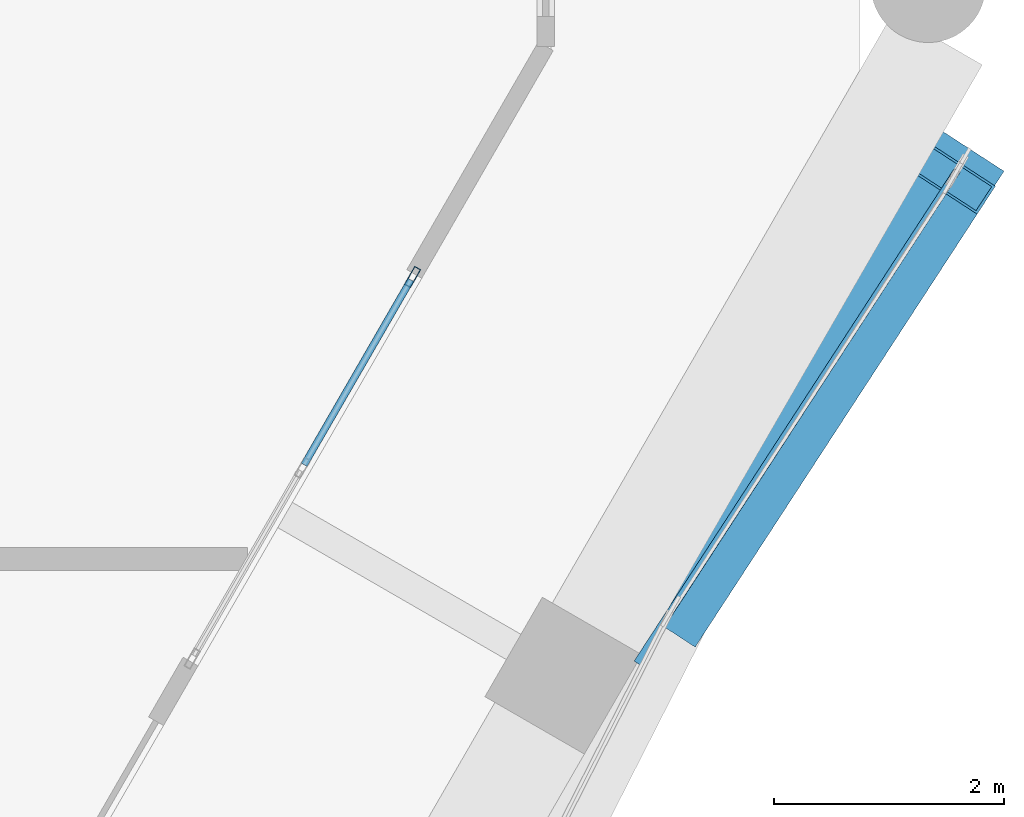
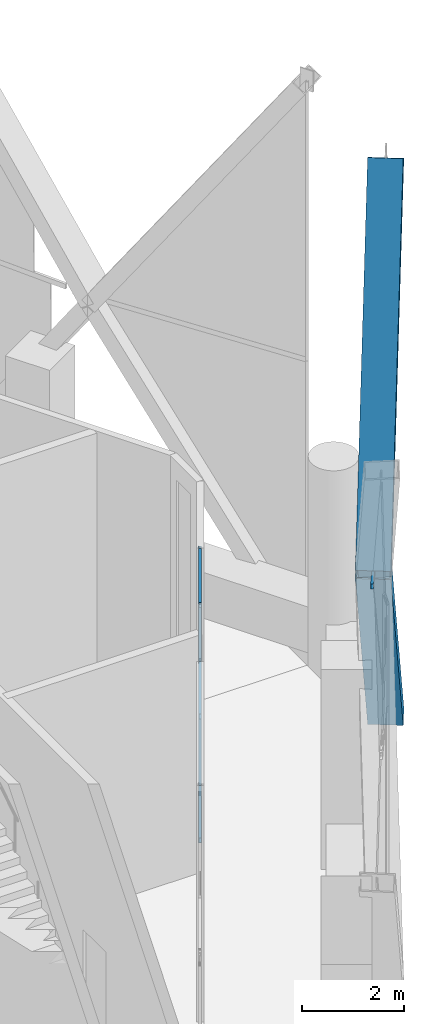
# One storey, part 23 of 43: 7 members, 2 elements without a shape of their own.
"""IFC4 building model written with IfcOpenShell, lengths in metres."""

from ifc_helpers import new_model, si_unit, direction, frame, origin, origin_2d, place, context, subcontext, project, spatial, hollow_rectangle, extrude, material, material_profile, profile_set, type_object, element, aggregate, save


model = new_model("IFC4")

# Units and contexts
model_context = context("Model", 3, precision=1e-05, world=origin(), true_north=direction((0.0, 1.0)))
body_context = subcontext(model_context, "Body", "Model", "MODEL_VIEW")
ifc_project = project(units=[si_unit("LENGTHUNIT", "METRE"), si_unit("AREAUNIT", "SQUARE_METRE"), si_unit("VOLUMEUNIT", "CUBIC_METRE"), si_unit("PLANEANGLEUNIT", "RADIAN"), si_unit("MASSUNIT", "GRAM", prefix="KILO")], contexts=[model_context])

# Site, building, storey
site_placement = place(None, origin())
site = spatial("IfcSite", under=ifc_project, at=site_placement, CompositionType="ELEMENT")
building_placement = place(site_placement, origin())
building = spatial("IfcBuilding", under=site, at=building_placement, Name="Ostrander Bayou Hotel Tower", CompositionType="ELEMENT")
storey_placement = place(building_placement, frame((0.0, 0.0, 151.0)))
storey = spatial("IfcBuildingStorey", under=building, at=storey_placement, Name="L37", CompositionType="ELEMENT", Elevation=151.0)

# Curtain wall, member
ifc_material_1 = material(Name="Aluminium and clear glass", Category="aluminium")
curtain_wall_type_1 = type_object("IfcCurtainWallType", Name="CW-LAT lattice glazing", PredefinedType="NOTDEFINED", material=ifc_material_1)
curtain_wall_1_placement = place(storey_placement, origin())
curtain_wall_1 = element("IfcCurtainWall", 1, at=curtain_wall_1_placement, inside=storey, type_object=curtain_wall_type_1, Name="CW-LAT L37 SE 2", PredefinedType="NOTDEFINED")
ifc_material_2 = material(Name="Aluminium", Category="aluminium")
ifc_material_profile_1 = material_profile(ifc_material_2, hollow_rectangle(XDim=0.06005859375, YDim=0.1201171875, WallThickness=0.00390625, at=origin_2d()))
ifc_profile_set_1 = profile_set([ifc_material_profile_1], Name="Aluminium")
member_type_1 = type_object("IfcMemberType", Name="CW-LA transom 60 x 120 mm", PredefinedType="USERDEFINED", material=ifc_profile_set_1)
member_1_placement = place(storey_placement, frame((21.086669921875, -1.616943359375, 6.14990234375), z_axis=(-0.545015190174, -0.838426169963, 0.0), x_axis=(0.838426169963, -0.545015190174, 0.0)))
member_1 = element("IfcMember", 2, at=member_1_placement, type_object=member_type_1, Name="CW-LAT transom 10", ObjectType="TRANSOM", PredefinedType="USERDEFINED", context=body_context, shape_type="SweptSolid", body=[
    extrude(hollow_rectangle(XDim=0.06005859375, YDim=0.1201171875, WallThickness=0.00390625, at=origin_2d()), origin(), (0.0, 0.0, 1.0), 5.11572265625),
])
aggregate(curtain_wall_1, [member_1])

# Curtain wall, members
ifc_material_3 = material(Name="Aluminium and clear glass", Category="aluminium")
curtain_wall_type_2 = type_object("IfcCurtainWallType", Name="CW-SKY amenity glass wall", PredefinedType="NOTDEFINED", material=ifc_material_3)
curtain_wall_2_placement = place(storey_placement, origin())
curtain_wall_2 = element("IfcCurtainWall", 3, at=curtain_wall_2_placement, inside=storey, type_object=curtain_wall_type_2, Name="CW-SKY L37 SE 3", PredefinedType="NOTDEFINED")
ifc_material_4 = material(Name="Aluminium", Category="aluminium")
ifc_material_profile_2 = material_profile(ifc_material_4, hollow_rectangle(XDim=0.06005859375, YDim=0.179931640625, WallThickness=0.00390625, at=origin_2d()))
ifc_profile_set_2 = profile_set([ifc_material_profile_2], Name="Aluminium")
member_type_2 = type_object("IfcMemberType", Name="CW-SK mullion 60 x 180 mm", PredefinedType="MULLION", material=ifc_profile_set_2)
member_2_placement = place(storey_placement, frame((16.343505859375, -2.542236328125, 0.0), z_axis=(0.0, 0.0, 1.0), x_axis=(-0.866025463091, 0.499999897278, 0.0)))
member_2 = element("IfcMember", 4, at=member_2_placement, type_object=member_type_2, Name="CW-SKY mullion 3", PredefinedType="MULLION", context=body_context, shape_type="SweptSolid", body=[
    extrude(hollow_rectangle(XDim=0.06005859375, YDim=0.179931640625, WallThickness=0.00390625, at=origin_2d()), origin(), (0.0, 0.0, 1.0), 5.699951171875),
])
ifc_material_5 = material(Name="Aluminium", Category="aluminium")
ifc_material_profile_3 = material_profile(ifc_material_5, hollow_rectangle(XDim=0.06005859375, YDim=0.1201171875, WallThickness=0.00390625, at=origin_2d()))
ifc_profile_set_3 = profile_set([ifc_material_profile_3], Name="Aluminium")
member_type_3 = type_object("IfcMemberType", Name="CW-SK transom 60 x 120 mm", PredefinedType="USERDEFINED", material=ifc_profile_set_3)
member_3_placement = place(storey_placement, frame((15.3984375, -4.178955078125, 0.030029296875), z_axis=(0.500021687003, 0.866012882425, 0.0), x_axis=(-0.866012882425, 0.500021687003, 0.0)))
member_3 = element("IfcMember", 5, at=member_3_placement, type_object=member_type_3, Name="CW-SKY transom 2.1", ObjectType="TRANSOM", PredefinedType="USERDEFINED", context=body_context, shape_type="SweptSolid", body=[
    extrude(hollow_rectangle(XDim=0.06005859375, YDim=0.1201171875, WallThickness=0.00390625, at=origin_2d()), origin(), (0.0, 0.0, 1.0), 1.85986328125),
])
member_4_placement = place(storey_placement, frame((15.3984375, -4.178955078125, 3.0), z_axis=(0.500021687003, 0.866012882425, 0.0), x_axis=(-0.866012882425, 0.500021687003, 0.0)))
member_4 = element("IfcMember", 6, at=member_4_placement, type_object=member_type_3, Name="CW-SKY transom 2.2", ObjectType="TRANSOM", PredefinedType="USERDEFINED", context=body_context, shape_type="SweptSolid", body=[
    extrude(hollow_rectangle(XDim=0.06005859375, YDim=0.1201171875, WallThickness=0.00390625, at=origin_2d()), origin(), (0.0, 0.0, 1.0), 1.85986328125),
])
member_5_placement = place(storey_placement, frame((15.3984375, -4.178955078125, 5.669921875), z_axis=(0.500021687003, 0.866012882425, 0.0), x_axis=(-0.866012882425, 0.500021687003, 0.0)))
member_5 = element("IfcMember", 7, at=member_5_placement, type_object=member_type_3, Name="CW-SKY transom 2.3", ObjectType="TRANSOM", PredefinedType="USERDEFINED", context=body_context, shape_type="SweptSolid", body=[
    extrude(hollow_rectangle(XDim=0.06005859375, YDim=0.1201171875, WallThickness=0.00390625, at=origin_2d()), origin(), (0.0, 0.0, 1.0), 1.85986328125),
])
aggregate(curtain_wall_2, [member_2, member_3, member_4, member_5])

# Members
ifc_material_6 = material(Name="Steel ASTM A572 Gr 50", Category="steel")
ifc_material_profile_4 = material_profile(ifc_material_6, hollow_rectangle(XDim=0.699951171875, YDim=0.35009765625, WallThickness=0.02490234375, at=origin_2d()))
ifc_profile_set_4 = profile_set([ifc_material_profile_4], Name="Steel ASTM A572 Gr 50")
member_type_4 = type_object("IfcMemberType", Name="LT1 lattice member box 700 x 350 x 25 mm", PredefinedType="BRACE", material=ifc_profile_set_4)
member_6_placement = place(storey_placement, frame((18.591552734375, -5.455078125, 6.14990234375), z_axis=(0.308952127368, 0.476128729107, -0.823316473972), x_axis=(-0.838871288414, 0.544329827838, 0.0)))
element("IfcMember", 8, at=member_6_placement, inside=storey, type_object=member_type_4, Name="LT1 L37 SE 7", PredefinedType="BRACE", context=body_context, shape_type="SweptSolid", body=[
    extrude(hollow_rectangle(XDim=0.699951171875, YDim=0.35009765625, WallThickness=0.02490234375, at=origin_2d()), origin(), (0.0, 0.0, 1.0), 8.198486328125),
])
member_7_placement = place(storey_placement, frame((18.591552734375, -5.455078125, 6.14990234375), z_axis=(0.30285077548, 0.464972978986, 0.831914380573), x_axis=(-0.837934071983, 0.545771464085, 0.0)))
element("IfcMember", 9, at=member_7_placement, inside=storey, type_object=member_type_4, Name="LT1 L37 SE 8", PredefinedType="BRACE", context=body_context, shape_type="SweptSolid", body=[
    extrude(hollow_rectangle(XDim=0.699951171875, YDim=0.35009765625, WallThickness=0.02490234375, at=origin_2d()), origin(), (0.0, 0.0, 1.0), 8.11376953125),
])

save(model, "model.ifc")
